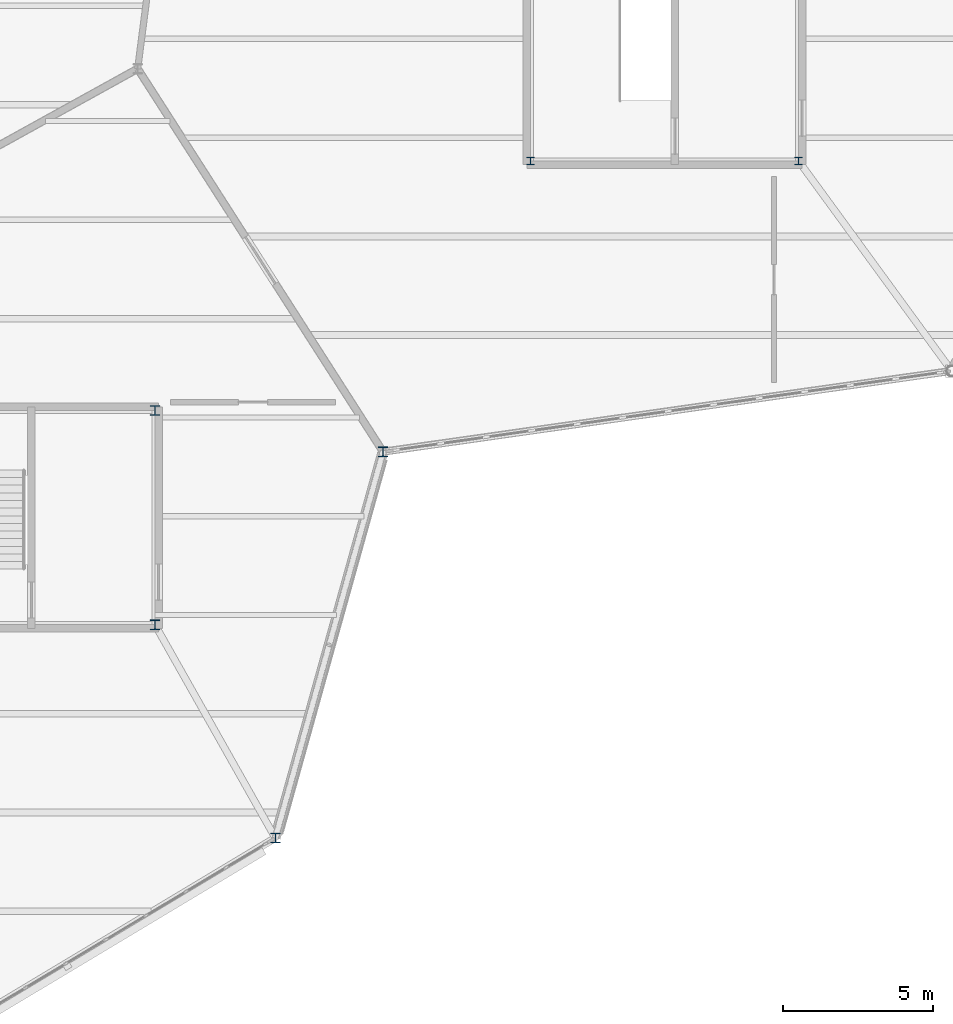
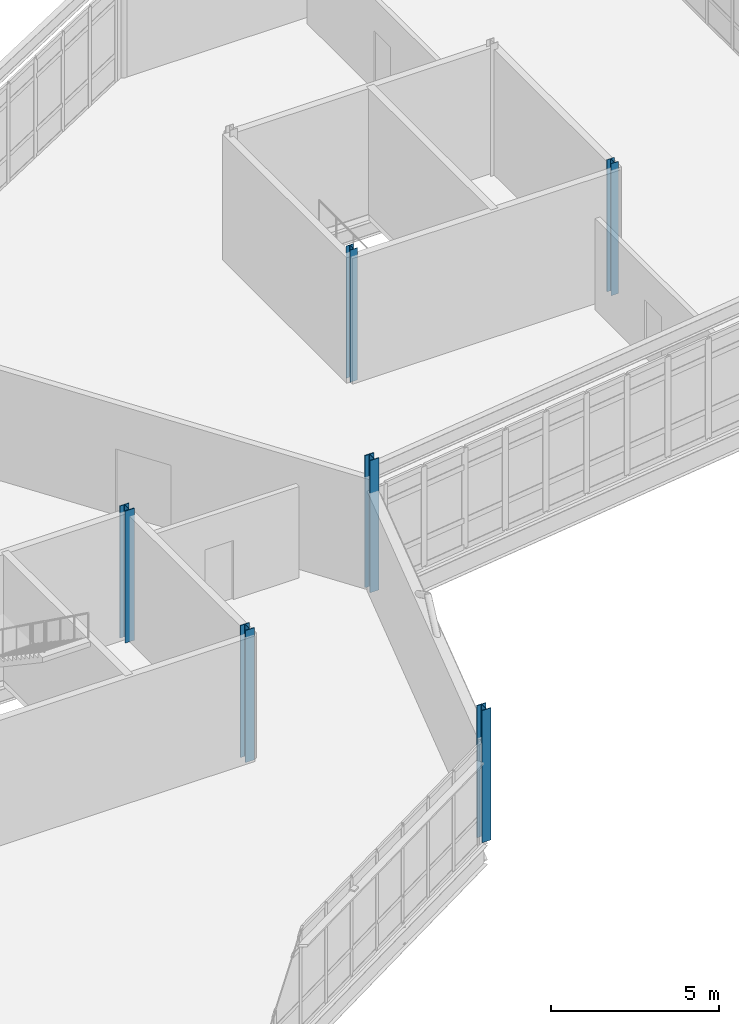
# One storey, part 19 of 114: 6 columns.
"""IFC4 building model written with IfcOpenShell, lengths in metres."""

from ifc_helpers import new_model, si_unit, direction, frame, origin, origin_2d, place, context, subcontext, project, spatial, i_section, extrude, material, material_profile, profile_set, type_object, element, save


model = new_model("IFC4")

# Units and contexts
model_context = context("Model", 3, precision=1e-05, world=origin(), true_north=direction((0.0, 1.0)))
body_context = subcontext(model_context, "Body", "Model", "MODEL_VIEW")
ifc_project = project(units=[si_unit("LENGTHUNIT", "METRE"), si_unit("AREAUNIT", "SQUARE_METRE"), si_unit("VOLUMEUNIT", "CUBIC_METRE"), si_unit("PLANEANGLEUNIT", "RADIAN"), si_unit("MASSUNIT", "GRAM", prefix="KILO")], contexts=[model_context])

# Site, building, storey
site_placement = place(None, origin())
site = spatial("IfcSite", under=ifc_project, at=site_placement, CompositionType="ELEMENT")
building_placement = place(site_placement, origin())
building = spatial("IfcBuilding", under=site, at=building_placement, Name="Tameran Prism Museum", CompositionType="ELEMENT")
storey_placement = place(building_placement, frame((0.0, 0.0, 10.199951171875)))
storey = spatial("IfcBuildingStorey", under=building, at=storey_placement, Name="L02", CompositionType="ELEMENT", Elevation=10.199951171875)

# Columns
ifc_material_1 = material(Name="Steel Grade 300PLUS (300 MPa)", Category="steel")
ifc_material_profile_1 = material_profile(ifc_material_1, i_section(OverallWidth=0.25390625, OverallDepth=0.25390625, WebThickness=0.008544921875, FlangeThickness=0.01416015625, FilletRadius=0.0126953125, at=origin_2d()))
ifc_profile_set_1 = profile_set([ifc_material_profile_1])
column_type_1 = type_object("IfcColumnType", Name="COL-UC250B", PredefinedType="COLUMN", material=ifc_profile_set_1)
for number, where, z_axis, x_axis, name in (
    (1, (148.02001953125, 94.919921875, 0.0), (0.0, 0.0, 1.0), (1.0, 0.0, 0.0), "Column CC-11-1 L02"),
    (2, (156.97998046875, 94.919921875, 0.0), (0.0, 0.0, 1.0), (1.0, 0.0, 0.0), "Column CC-11-2 L02"),
):
    element("IfcColumn", number, at=place(storey_placement, frame(where, z_axis=z_axis, x_axis=x_axis)), inside=storey, type_object=column_type_1, Name=name, PredefinedType="COLUMN", context=body_context, shape_type="SweptSolid", body=[
        extrude(i_section(OverallWidth=0.25390625, OverallDepth=0.25390625, WebThickness=0.008544921875, FlangeThickness=0.01416015625, FilletRadius=0.0126953125, at=origin_2d()), origin(), (0.0, 0.0, 1.0), 4.800048828125),
    ])
ifc_material_2 = material(Name="Steel Grade 350 (350 MPa)", Category="steel")
ifc_material_profile_2 = material_profile(ifc_material_2, i_section(OverallWidth=0.31103515625, OverallDepth=0.326904296875, WebThickness=0.015625, FlangeThickness=0.02490234375, FilletRadius=0.0166015625, at=origin_2d()))
ifc_profile_set_2 = profile_set([ifc_material_profile_2])
column_type_2 = type_object("IfcColumnType", Name="COL-UC310A", PredefinedType="COLUMN", material=ifc_profile_set_2)
for number, where, z_axis, x_axis, name in (
    (3, (139.5, 72.300048828125, 0.0), (0.0, 0.0, 1.0), (1.0, 0.0, 0.0), "Column CV-57 L02"),
    (4, (143.10009765625, 85.199951171875, 0.0), (0.0, 0.0, 1.0), (1.0, 0.0, 0.0), "Column CV-60 L02"),
    (5, (135.47998046875, 79.419921875, 0.0), (0.0, 0.0, 1.0), (1.0, 0.0, 0.0), "Column CC-2-2 L02"),
    (6, (135.47998046875, 86.580078125, 0.0), (0.0, 0.0, 1.0), (1.0, 0.0, 0.0), "Column CC-2-3 L02"),
):
    element("IfcColumn", number, at=place(storey_placement, frame(where, z_axis=z_axis, x_axis=x_axis)), inside=storey, type_object=column_type_2, Name=name, PredefinedType="COLUMN", context=body_context, shape_type="SweptSolid", body=[
        extrude(i_section(OverallWidth=0.31103515625, OverallDepth=0.326904296875, WebThickness=0.015625, FlangeThickness=0.02490234375, FilletRadius=0.0166015625, at=origin_2d()), origin(), (0.0, 0.0, 1.0), 4.800048828125),
    ])

save(model, "model.ifc")
